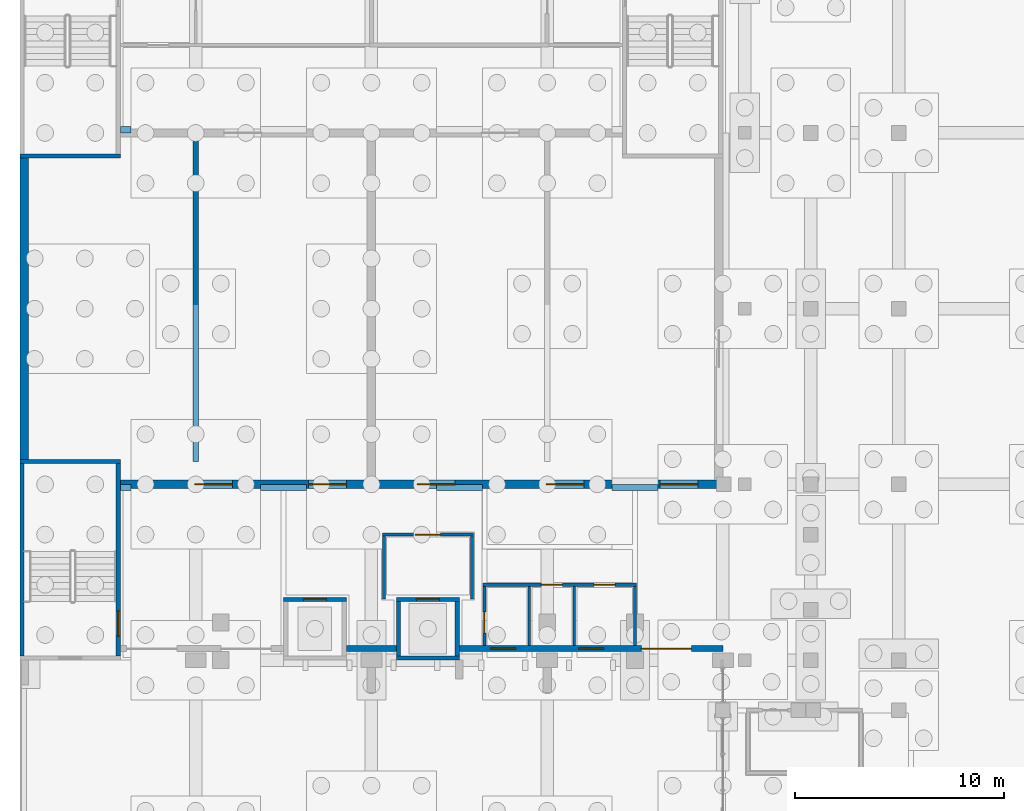
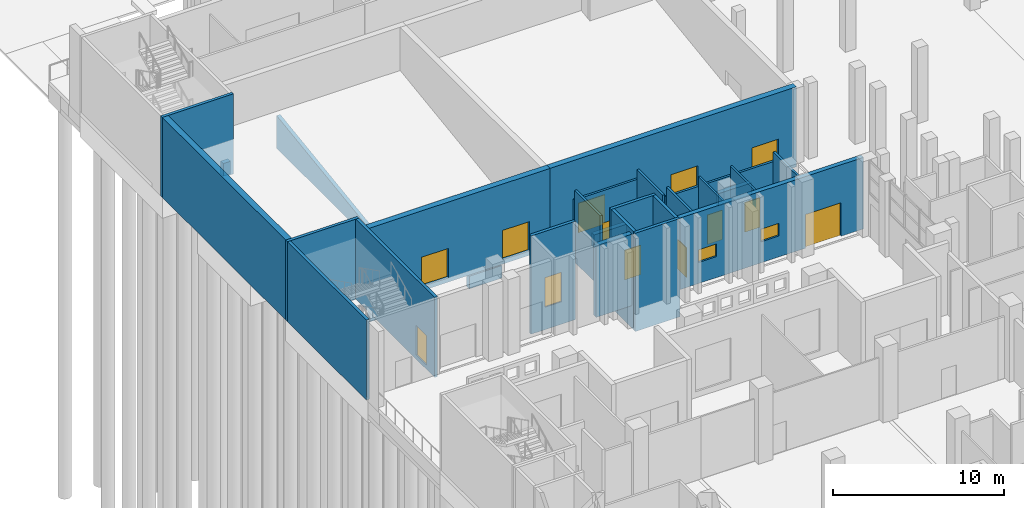
# One storey, part 46 of 129: 28 walls, 13 doors, 2 windows, 15 openings.
"""IFC4 building model written with IfcOpenShell, lengths in metres."""

from ifc_helpers import new_model, si_unit, direction, frame, frame_2d, origin, place, context, subcontext, project, spatial, polyline, rectangle, outline, extrude, material, layer, layer_set, type_object, element, fill, save


model = new_model("IFC4")

# Units and contexts
model_context = context("Model", 3, precision=1e-05, world=origin(), true_north=direction((0.0, 1.0)))
body_context = subcontext(model_context, "Body", "Model", "MODEL_VIEW")
ifc_project = project(units=[si_unit("LENGTHUNIT", "METRE"), si_unit("AREAUNIT", "SQUARE_METRE"), si_unit("VOLUMEUNIT", "CUBIC_METRE"), si_unit("PLANEANGLEUNIT", "RADIAN"), si_unit("MASSUNIT", "GRAM", prefix="KILO")], contexts=[model_context])

# Site, building, storey
site_placement = place(None, origin())
site = spatial("IfcSite", under=ifc_project, at=site_placement, CompositionType="ELEMENT")
building_placement = place(site_placement, origin())
building = spatial("IfcBuilding", under=site, at=building_placement, Name="Kiln Court Media Centre", CompositionType="ELEMENT")
storey_placement = place(building_placement, origin())
storey = spatial("IfcBuildingStorey", under=building, at=storey_placement, Name="L00", CompositionType="ELEMENT", Elevation=0.0)

# Wall, opening, door
ifc_material_1 = material(Name="Concrete block masonry M7.5", Category="masonry")
ifc_layer_1 = layer(ifc_material_1, 0.14990234375)
ifc_layer_set_1 = layer_set([ifc_layer_1], Name="Block lobby wall 150 EI 120")
wall_type_1 = type_object("IfcWallType", Name="Block lobby wall 150 EI 120", PredefinedType="SOLIDWALL", material=ifc_layer_set_1)
wall_1_placement = place(storey_placement, frame((17.324951171875, 39.60009765625, 0.0), z_axis=(0.0, 0.0, 1.0), x_axis=(1.0, 0.0, 0.0)))
wall_1 = element("IfcWall", 1, at=wall_1_placement, inside=storey, type_object=wall_type_1, Name="L00 block lobby wall", PredefinedType="SOLIDWALL", context=body_context, shape_type="SweptSolid", body=[
    extrude(rectangle(XDim=4.35009765625, YDim=0.14990234375, at=frame_2d((2.175048828125, 0.0))), origin(), (0.0, 0.0, 1.0), 4.39990234375),
])
opening_1_placement = place(wall_1_placement, frame((1.574951171875, 0.0, 0.0)))
opening_1 = element("IfcOpeningElement", 2, at=opening_1_placement, cuts=wall_1, Name="Opening D0059", PredefinedType="OPENING", context=body_context, shape_type="SweptSolid", body=[
    extrude(rectangle(XDim=1.199951171875, YDim=2.10009765625, at=frame_2d((0.60009765625, 1.050048828125))), frame((0.0, 0.0849609375, 0.0), z_axis=(0.0, -1.0, 0.0), x_axis=(1.0, 0.0, 0.0)), (0.0, 0.0, 1.0), 0.169921875),
])
ifc_material_2 = material(Name="Steel S275", Category="steel")
door_type_1 = type_object("IfcDoorType", Name="Steel lobby door 1200 x 2100 FD120", OperationType="SINGLE_SWING_LEFT", PredefinedType="DOOR", material=ifc_material_2)
door_1_placement = place(opening_1_placement, origin())
door_1 = element("IfcDoor", 3, at=door_1_placement, inside=storey, type_object=door_type_1, Name="Cinema Lobby / Fire-fighting Lift Lobby", OperationType="SINGLE_SWING_RIGHT", OverallHeight=2.10009765625, OverallWidth=1.199951171875, PredefinedType="DOOR", context=body_context, shape_type="SweptSolid", body=[
    extrude(rectangle(XDim=1.199951171875, YDim=2.10009765625, at=frame_2d((0.60009765625, 1.050048828125))), frame((0.0, 0.02490234375, 0.0), z_axis=(0.0, -1.0, 0.0), x_axis=(1.0, 0.0, 0.0)), (0.0, 0.0, 1.0), 0.050048828125),
])
fill(opening_1, door_1)

# Walls
for number, where, z_axis, x_axis, name in (
    (4, (17.39990234375, 36.52490234375, 0.0), (0.0, 0.0, 1.0), (0.0, 1.0, 0.0), "L00 block lobby wall"),
    (5, (21.60009765625, 36.52490234375, 0.0), (0.0, 0.0, 1.0), (0.0, 1.0, 0.0), "L00 block lobby wall"),
):
    element("IfcWall", number, at=place(storey_placement, frame(where, z_axis=z_axis, x_axis=x_axis)), inside=storey, type_object=wall_type_1, Name=name, PredefinedType="SOLIDWALL", context=body_context, shape_type="SweptSolid", body=[
        extrude(rectangle(XDim=3.0, YDim=0.14990234375, at=frame_2d((1.5, 0.0))), origin(), (0.0, 0.0, 1.0), 5.10009765625),
    ])
ifc_material_3 = material(Name="Concrete C30/37", Category="concrete")
ifc_layer_2 = layer(ifc_material_3, 0.300048828125)
ifc_layer_set_2 = layer_set([ifc_layer_2], Name="Concrete C30/37 plinth wall 300")
wall_type_2 = type_object("IfcWallType", Name="Concrete C30/37 plinth wall 300", PredefinedType="SOLIDWALL", material=ifc_layer_set_2)
for number, where, z_axis, x_axis, name in (
    (6, (5.300048828125, 58.949951171875, -1.199951171875), (0.0, 0.0, 1.0), (-1.0, 0.0, 0.0), "L00-W-1211"),
    (7, (4.800048828125, 41.85009765625, -1.199951171875), (0.0, 0.0, 1.0), (1.0, 0.0, 0.0), "L00-W-1217"),
):
    element("IfcWall", number, at=place(storey_placement, frame(where, z_axis=z_axis, x_axis=x_axis)), inside=storey, type_object=wall_type_2, Name=name, PredefinedType="SOLIDWALL", context=body_context, shape_type="SweptSolid", body=[
        extrude(rectangle(XDim=0.5, YDim=0.300048828125, at=frame_2d((0.25, 0.0))), origin(), (0.0, 0.0, 1.0), 0.89990234375),
    ])
wall_2_placement = place(storey_placement, frame((11.5, 41.85009765625, -1.199951171875), z_axis=(0.0, 0.0, 1.0), x_axis=(1.0, 0.0, 0.0)))
element("IfcWall", 8, at=wall_2_placement, inside=storey, type_object=wall_type_2, Name="L00-W-1218", PredefinedType="SOLIDWALL", context=body_context, shape_type="SweptSolid", body=[
    extrude(rectangle(XDim=2.199951171875, YDim=0.300048828125, at=frame_2d((1.10009765625, 0.0))), origin(), (0.0, 0.0, 1.0), 0.89990234375),
])
wall_3_placement = place(storey_placement, frame((19.89990234375, 41.85009765625, -1.199951171875), z_axis=(0.0, 0.0, 1.0), x_axis=(1.0, 0.0, 0.0)))
element("IfcWall", 9, at=wall_3_placement, inside=storey, type_object=wall_type_2, Name="L00-W-1219", PredefinedType="SOLIDWALL", context=body_context, shape_type="SweptSolid", body=[
    extrude(rectangle(XDim=2.2001953125, YDim=0.300048828125, at=frame_2d((1.10009765625, 0.0))), origin(), (0.0, 0.0, 1.0), 0.89990234375),
])
wall_4_placement = place(storey_placement, frame((28.300048828125, 41.85009765625, -1.199951171875), z_axis=(0.0, 0.0, 1.0), x_axis=(1.0, 0.0, 0.0)))
element("IfcWall", 10, at=wall_4_placement, inside=storey, type_object=wall_type_2, Name="L00-W-1220", PredefinedType="SOLIDWALL", context=body_context, shape_type="SweptSolid", body=[
    extrude(rectangle(XDim=2.199951171875, YDim=0.300048828125, at=frame_2d((1.10009765625, 0.0))), origin(), (0.0, 0.0, 1.0), 0.89990234375),
])

# Wall, openings, doors
ifc_material_4 = material(Name="Concrete C40/50", Category="concrete")
ifc_layer_3 = layer(ifc_material_4, 0.39990234375)
ifc_layer_set_3 = layer_set([ifc_layer_3], Name="Concrete C40/50 auditorium wall 400")
wall_type_3 = type_object("IfcWallType", Name="Concrete C40/50 auditorium wall 400", PredefinedType="SHEAR", material=ifc_layer_set_3)
wall_5_placement = place(storey_placement, frame((17.0, 42.0, -0.300048828125), z_axis=(0.0, 0.0, 1.0), x_axis=(-1.0, 0.0, 0.0)))
wall_5 = element("IfcWall", 11, at=wall_5_placement, inside=storey, type_object=wall_type_3, Name="L00-W-1118", PredefinedType="SHEAR", context=body_context, shape_type="SweptSolid", body=[
    extrude(rectangle(XDim=12.199951171875, YDim=0.39990234375, at=frame_2d((6.10009765625, 0.0))), origin(), (0.0, 0.0, 1.0), 5.699951171875),
])
opening_2_placement = place(wall_5_placement, frame((6.85009765625, 0.0, 0.300048828125)))
opening_2 = element("IfcOpeningElement", 12, at=opening_2_placement, cuts=wall_5, Name="Opening D0037", PredefinedType="OPENING", context=body_context, shape_type="SweptSolid", body=[
    extrude(rectangle(XDim=1.800048828125, YDim=2.10009765625, at=frame_2d((0.89990234375, 1.050048828125))), frame((0.0, 0.2099609375, 0.0), z_axis=(0.0, -1.0, 0.0), x_axis=(1.0, 0.0, 0.0)), (0.0, 0.0, 1.0), 0.419921875),
])
opening_3_placement = place(wall_5_placement, frame((1.39990234375, 0.0, 0.300048828125)))
opening_3 = element("IfcOpeningElement", 13, at=opening_3_placement, cuts=wall_5, Name="Opening D0078", PredefinedType="OPENING", context=body_context, shape_type="SweptSolid", body=[
    extrude(rectangle(XDim=1.800048828125, YDim=2.10009765625, at=frame_2d((0.89990234375, 1.050048828125))), frame((0.0, 0.2099609375, 0.0), z_axis=(0.0, -1.0, 0.0), x_axis=(1.0, 0.0, 0.0)), (0.0, 0.0, 1.0), 0.419921875),
])
ifc_material_5 = material(Name="Steel S275", Category="steel")
door_type_2 = type_object("IfcDoorType", Name="Acoustic cinema double door 1800 x 2100 FD180", OperationType="DOUBLE_DOOR_SINGLE_SWING", PredefinedType="DOOR", material=ifc_material_5)
door_2_placement = place(opening_2_placement, origin())
door_2 = element("IfcDoor", 14, at=door_2_placement, inside=storey, type_object=door_type_2, Name="Cinema Concessions / Cinema Screen 3", OperationType="DOUBLE_DOOR_SINGLE_SWING", OverallHeight=2.10009765625, OverallWidth=1.800048828125, PredefinedType="DOOR", context=body_context, shape_type="SweptSolid", body=[
    extrude(rectangle(XDim=1.800048828125, YDim=2.10009765625, at=frame_2d((0.89990234375, 1.050048828125))), frame((0.0, 0.02490234375, 0.0), z_axis=(0.0, -1.0, 0.0), x_axis=(1.0, 0.0, 0.0)), (0.0, 0.0, 1.0), 0.050048828125),
])
fill(opening_2, door_2)
door_3_placement = place(opening_3_placement, origin())
door_3 = element("IfcDoor", 15, at=door_3_placement, inside=storey, type_object=door_type_2, Name="Cinema Lobby / Cinema Screen 3", OperationType="DOUBLE_DOOR_SINGLE_SWING", OverallHeight=2.10009765625, OverallWidth=1.800048828125, PredefinedType="DOOR", context=body_context, shape_type="SweptSolid", body=[
    extrude(rectangle(XDim=1.800048828125, YDim=2.10009765625, at=frame_2d((0.89990234375, 1.050048828125))), frame((0.0, 0.02490234375, 0.0), z_axis=(0.0, -1.0, 0.0), x_axis=(1.0, 0.0, 0.0)), (0.0, 0.0, 1.0), 0.050048828125),
])
fill(opening_3, door_3)

# Wall
wall_6_placement = place(storey_placement, frame((0.200439453125, 43.199951171875, -0.300048828125), z_axis=(0.0, 0.0, 1.0), x_axis=(0.0, 1.0, 0.0)))
element("IfcWall", 16, at=wall_6_placement, inside=storey, type_object=wall_type_3, Name="L00-W-1120", PredefinedType="SHEAR", context=body_context, shape_type="SweptSolid", body=[
    extrude(rectangle(XDim=14.400146484375, YDim=0.39990234375, at=frame_2d((7.2001953125, 0.0))), origin(), (0.0, 0.0, 1.0), 5.699951171875),
])

# Wall, openings, doors
wall_7_placement = place(storey_placement, frame((33.60009765625, 42.0, -0.300048828125), z_axis=(0.0, 0.0, 1.0), x_axis=(-1.0, 0.0, 0.0)))
wall_7 = element("IfcWall", 17, at=wall_7_placement, inside=storey, type_object=wall_type_3, Name="L00-W-1122", PredefinedType="SHEAR", context=body_context, shape_type="SweptSolid", body=[
    extrude(rectangle(XDim=16.60009765625, YDim=0.39990234375, at=frame_2d((8.300048828125, 0.0))), origin(), (0.0, 0.0, 1.0), 5.699951171875),
])
opening_4_placement = place(wall_7_placement, frame((12.800048828125, 0.0, 0.300048828125)))
opening_4 = element("IfcOpeningElement", 18, at=opening_4_placement, cuts=wall_7, Name="Opening D0080", PredefinedType="OPENING", context=body_context, shape_type="SweptSolid", body=[
    extrude(rectangle(XDim=1.800048828125, YDim=2.10009765625, at=frame_2d((0.89990234375, 1.050048828125))), frame((0.0, 0.2099609375, 0.0), z_axis=(0.0, -1.0, 0.0), x_axis=(1.0, 0.0, 0.0)), (0.0, 0.0, 1.0), 0.419921875),
])
opening_5_placement = place(wall_7_placement, frame((1.2001953125, 0.0, 0.300048828125)))
opening_5 = element("IfcOpeningElement", 19, at=opening_5_placement, cuts=wall_7, Name="Opening D0081", PredefinedType="OPENING", context=body_context, shape_type="SweptSolid", body=[
    extrude(rectangle(XDim=1.800048828125, YDim=2.10009765625, at=frame_2d((0.89990234375, 1.050048828125))), frame((0.0, 0.2099609375, 0.0), z_axis=(0.0, -1.0, 0.0), x_axis=(1.0, 0.0, 0.0)), (0.0, 0.0, 1.0), 0.419921875),
])
opening_6_placement = place(wall_7_placement, frame((6.650146484375, 0.0, 0.300048828125)))
opening_6 = element("IfcOpeningElement", 20, at=opening_6_placement, cuts=wall_7, Name="Opening D0082", PredefinedType="OPENING", context=body_context, shape_type="SweptSolid", body=[
    extrude(rectangle(XDim=1.800048828125, YDim=2.10009765625, at=frame_2d((0.89990234375, 1.050048828125))), frame((0.0, 0.2099609375, 0.0), z_axis=(0.0, -1.0, 0.0), x_axis=(1.0, 0.0, 0.0)), (0.0, 0.0, 1.0), 0.419921875),
])
door_4_placement = place(opening_4_placement, origin())
door_4 = element("IfcDoor", 21, at=door_4_placement, inside=storey, type_object=door_type_2, Name="Cinema Lobby / Cinema Screen 4", OperationType="DOUBLE_DOOR_SINGLE_SWING", OverallHeight=2.10009765625, OverallWidth=1.800048828125, PredefinedType="DOOR", context=body_context, shape_type="SweptSolid", body=[
    extrude(rectangle(XDim=1.800048828125, YDim=2.10009765625, at=frame_2d((0.89990234375, 1.050048828125))), frame((0.0, 0.02490234375, 0.0), z_axis=(0.0, -1.0, 0.0), x_axis=(1.0, 0.0, 0.0)), (0.0, 0.0, 1.0), 0.050048828125),
])
fill(opening_4, door_4)
door_5_placement = place(opening_5_placement, origin())
door_5 = element("IfcDoor", 22, at=door_5_placement, inside=storey, type_object=door_type_2, Name="Foyer Link / Cinema Screen 4", OperationType="DOUBLE_DOOR_SINGLE_SWING", OverallHeight=2.10009765625, OverallWidth=1.800048828125, PredefinedType="DOOR", context=body_context, shape_type="SweptSolid", body=[
    extrude(rectangle(XDim=1.800048828125, YDim=2.10009765625, at=frame_2d((0.89990234375, 1.050048828125))), frame((0.0, 0.02490234375, 0.0), z_axis=(0.0, -1.0, 0.0), x_axis=(1.0, 0.0, 0.0)), (0.0, 0.0, 1.0), 0.050048828125),
])
fill(opening_5, door_5)
door_6_placement = place(opening_6_placement, origin())
door_6 = element("IfcDoor", 23, at=door_6_placement, inside=storey, type_object=door_type_2, Name="Cinema Lobby / Cinema Screen 4", OperationType="DOUBLE_DOOR_SINGLE_SWING", OverallHeight=2.10009765625, OverallWidth=1.800048828125, PredefinedType="DOOR", context=body_context, shape_type="SweptSolid", body=[
    extrude(rectangle(XDim=1.800048828125, YDim=2.10009765625, at=frame_2d((0.89990234375, 1.050048828125))), frame((0.0, 0.02490234375, 0.0), z_axis=(0.0, -1.0, 0.0), x_axis=(1.0, 0.0, 0.0)), (0.0, 0.0, 1.0), 0.050048828125),
])
fill(opening_6, door_6)

# Wall
ifc_material_6 = material(Name="Concrete C40/50", Category="concrete")
ifc_layer_4 = layer(ifc_material_6, 0.300048828125)
ifc_layer_set_4 = layer_set([ifc_layer_4], Name="Concrete C40/50 board-marked facade wall 300")
wall_type_4 = type_object("IfcWallType", Name="Concrete C40/50 board-marked facade wall 300", PredefinedType="SOLIDWALL", material=ifc_layer_set_4)
wall_8_placement = place(storey_placement, frame((18.0, 34.14990234375, 0.0), z_axis=(0.0, 0.0, 1.0), x_axis=(-1.0, 0.0, 0.0)))
element("IfcWall", 24, at=wall_8_placement, inside=storey, type_object=wall_type_4, Name="V4 S facade wall 4007", PredefinedType="SOLIDWALL", context=body_context, shape_type="SweptSolid", body=[
    extrude(rectangle(XDim=2.39990234375, YDim=0.300048828125, at=frame_2d((1.199951171875, 0.0))), origin(), (0.0, 0.0, 1.0), 5.10009765625),
])

# Wall, openings, windows, door
wall_9_placement = place(storey_placement, frame((33.60009765625, 34.14990234375, 0.0), z_axis=(0.0, 0.0, 1.0), x_axis=(-1.0, 0.0, 0.0)))
wall_9 = element("IfcWall", 25, at=wall_9_placement, inside=storey, type_object=wall_type_4, Name="V4 S facade wall 4008", PredefinedType="SOLIDWALL", context=body_context, shape_type="SweptSolid", body=[
    extrude(rectangle(XDim=12.60009765625, YDim=0.300048828125, at=frame_2d((6.300048828125, 0.0))), origin(), (0.0, 0.0, 1.0), 5.10009765625),
])
opening_7_placement = place(wall_9_placement, frame((1.5, 0.0, 0.0)))
opening_7 = element("IfcOpeningElement", 26, at=opening_7_placement, cuts=wall_9, Name="Opening D0774", PredefinedType="OPENING", context=body_context, shape_type="SweptSolid", body=[
    extrude(rectangle(XDim=2.39990234375, YDim=2.39990234375, at=frame_2d((1.199951171875, 1.199951171875))), frame((0.0, 0.159912109375, 0.0), z_axis=(0.0, -1.0, 0.0), x_axis=(1.0, 0.0, 0.0)), (0.0, 0.0, 1.0), 0.320068359375),
])
opening_8_placement = place(wall_9_placement, frame((9.89990234375, 0.0, 1.5)))
opening_8 = element("IfcOpeningElement", 27, at=opening_8_placement, cuts=wall_9, Name="Opening WN0504", PredefinedType="OPENING", context=body_context, shape_type="SweptSolid", body=[
    extrude(rectangle(XDim=1.199951171875, YDim=0.89990234375, at=frame_2d((0.60009765625, 0.449951171875))), frame((0.0, 0.159912109375, 0.0), z_axis=(0.0, -1.0, 0.0), x_axis=(1.0, 0.0, 0.0)), (0.0, 0.0, 1.0), 0.320068359375),
])
opening_9_placement = place(wall_9_placement, frame((5.699951171875, 0.0, 1.5)))
opening_9 = element("IfcOpeningElement", 28, at=opening_9_placement, cuts=wall_9, Name="Opening WN0505", PredefinedType="OPENING", context=body_context, shape_type="SweptSolid", body=[
    extrude(rectangle(XDim=1.199951171875, YDim=0.89990234375, at=frame_2d((0.60009765625, 0.449951171875))), frame((0.0, 0.159912109375, 0.0), z_axis=(0.0, -1.0, 0.0), x_axis=(1.0, 0.0, 0.0)), (0.0, 0.0, 1.0), 0.320068359375),
])
ifc_material_7 = material(Name="Aluminium 6063-T6", Category="aluminium")
window_type = type_object("IfcWindowType", Name="Aluminium control room window 1200x900", PartitioningType="SINGLE_PANEL", PredefinedType="WINDOW", material=ifc_material_7)
window_1_placement = place(opening_8_placement, origin())
window_1 = element("IfcWindow", 29, at=window_1_placement, inside=storey, type_object=window_type, Name="V4 S wc window", OverallHeight=0.89990234375, OverallWidth=1.199951171875, PartitioningType="SINGLE_PANEL", PredefinedType="WINDOW", context=body_context, shape_type="SweptSolid", body=[
    extrude(rectangle(XDim=1.199951171875, YDim=0.89990234375, at=frame_2d((0.60009765625, 0.449951171875))), frame((0.0, 0.030029296875, 0.0), z_axis=(0.0, -1.0, 0.0), x_axis=(1.0, 0.0, 0.0)), (0.0, 0.0, 1.0), 0.06005859375),
])
fill(opening_8, window_1)
window_2_placement = place(opening_9_placement, origin())
window_2 = element("IfcWindow", 30, at=window_2_placement, inside=storey, type_object=window_type, Name="V4 S wc window", OverallHeight=0.89990234375, OverallWidth=1.199951171875, PartitioningType="SINGLE_PANEL", PredefinedType="WINDOW", context=body_context, shape_type="SweptSolid", body=[
    extrude(rectangle(XDim=1.199951171875, YDim=0.89990234375, at=frame_2d((0.60009765625, 0.449951171875))), frame((0.0, 0.030029296875, 0.0), z_axis=(0.0, -1.0, 0.0), x_axis=(1.0, 0.0, 0.0)), (0.0, 0.0, 1.0), 0.06005859375),
])
fill(opening_9, window_2)
ifc_material_8 = material(Name="Aluminium 6063-T6", Category="aluminium")
door_type_3 = type_object("IfcDoorType", Name="Aluminium glazed entrance door 2400x2400", OperationType="DOUBLE_DOOR_DOUBLE_SWING", PredefinedType="DOOR", material=ifc_material_8)
door_7_placement = place(opening_7_placement, origin())
door_7 = element("IfcDoor", 31, at=door_7_placement, inside=storey, type_object=door_type_3, Name="EN-16 entrance door 1", OperationType="DOUBLE_DOOR_SLIDING", OverallHeight=2.39990234375, OverallWidth=2.39990234375, PredefinedType="DOOR", context=body_context, shape_type="SweptSolid", body=[
    extrude(rectangle(XDim=2.39990234375, YDim=2.39990234375, at=frame_2d((1.199951171875, 1.199951171875))), frame((0.0, 0.02490234375, 0.0), z_axis=(0.0, -1.0, 0.0), x_axis=(1.0, 0.0, 0.0)), (0.0, 0.0, 1.0), 0.050048828125),
])
fill(opening_7, door_7)

# Walls
ifc_material_9 = material(Name="Concrete C40/50", Category="concrete")
ifc_layer_5 = layer(ifc_material_9, 0.25)
ifc_layer_set_5 = layer_set([ifc_layer_5], Name="Concrete C40/50 raker wall 250")
wall_type_5 = type_object("IfcWallType", Name="Concrete C40/50 raker wall 250", PredefinedType="SOLIDWALL", material=ifc_layer_set_5)
wall_10_placement = place(storey_placement, frame((8.39990234375, 43.10009765625, -0.300048828125), z_axis=(0.0, 0.0, 1.0), x_axis=(0.0, 1.0, 0.0)))
element("IfcWall", 32, at=wall_10_placement, inside=storey, type_object=wall_type_5, Name="L00-W-1151", PredefinedType="SOLIDWALL", context=body_context, shape_type="SweptSolid", body=[
    extrude(outline(polyline([(0.0, 0.0), (15.5, 0.0), (15.5, 2.323974609375), (0.0, 0.154052734375), (0.0, 0.0)])), frame((0.0, 0.125, 0.0), z_axis=(0.0, -1.0, 0.0), x_axis=(1.0, 0.0, 0.0)), (0.0, 0.0, 1.0), 0.25),
])
ifc_material_10 = material(Name="Concrete C40/50", Category="concrete")
ifc_layer_6 = layer(ifc_material_10, 0.199951171875)
ifc_layer_set_6 = layer_set([ifc_layer_6], Name="Concrete C40/50 shear wall 200")
wall_type_6 = type_object("IfcWallType", Name="Concrete C40/50 shear wall 200", PredefinedType="SHEAR", material=ifc_layer_set_6)
wall_11_placement = place(storey_placement, frame((0.00048828125, 43.10009765625, -0.300048828125), z_axis=(0.0, 0.0, 1.0), x_axis=(1.0, 0.0, 0.0)))
element("IfcWall", 33, at=wall_11_placement, inside=storey, type_object=wall_type_6, Name="L00-W-1021", PredefinedType="SHEAR", context=body_context, shape_type="SweptSolid", body=[
    extrude(rectangle(XDim=4.799560546875, YDim=0.199951171875, at=frame_2d((2.39990234375, 0.0))), origin(), (0.0, 0.0, 1.0), 5.699951171875),
])
wall_12_placement = place(storey_placement, frame((0.100341796875, 33.800048828125, -0.300048828125), z_axis=(0.0, 0.0, 1.0), x_axis=(0.0, 1.0, 0.0)))
element("IfcWall", 34, at=wall_12_placement, inside=storey, type_object=wall_type_6, Name="L00-W-1022", PredefinedType="SHEAR", context=body_context, shape_type="SweptSolid", body=[
    extrude(rectangle(XDim=9.199951171875, YDim=0.199951171875, at=frame_2d((4.60009765625, 0.0))), origin(), (0.0, 0.0, 1.0), 5.699951171875),
])

# Wall, opening, door
wall_13_placement = place(storey_placement, frame((4.699951171875, 43.0, -0.300048828125), z_axis=(0.0, 0.0, 1.0), x_axis=(0.0, -1.0, 0.0)))
wall_13 = element("IfcWall", 35, at=wall_13_placement, inside=storey, type_object=wall_type_6, Name="L00-W-1023", PredefinedType="SHEAR", context=body_context, shape_type="SweptSolid", body=[
    extrude(rectangle(XDim=9.199951171875, YDim=0.199951171875, at=frame_2d((4.60009765625, 0.0))), origin(), (0.0, 0.0, 1.0), 5.699951171875),
])
opening_10_placement = place(wall_13_placement, frame((7.050048828125, 0.0, 0.300048828125)))
opening_10 = element("IfcOpeningElement", 36, at=opening_10_placement, cuts=wall_13, Name="Opening D0010", PredefinedType="OPENING", context=body_context, shape_type="SweptSolid", body=[
    extrude(rectangle(XDim=1.199951171875, YDim=2.10009765625, at=frame_2d((0.60009765625, 1.050048828125))), frame((0.0, 0.10986328125, 0.0), z_axis=(0.0, -1.0, 0.0), x_axis=(1.0, 0.0, 0.0)), (0.0, 0.0, 1.0), 0.219970703125),
])
ifc_material_11 = material(Name="Steel S275", Category="steel")
door_type_4 = type_object("IfcDoorType", Name="Steel stair door 1200 x 2100 FD180", OperationType="SINGLE_SWING_LEFT", PredefinedType="DOOR", material=ifc_material_11)
door_8_placement = place(opening_10_placement, origin())
door_8 = element("IfcDoor", 37, at=door_8_placement, inside=storey, type_object=door_type_4, Name="Stair 6 / Cinema Concessions", OperationType="SINGLE_SWING_LEFT", OverallHeight=2.10009765625, OverallWidth=1.199951171875, PredefinedType="DOOR", context=body_context, shape_type="SweptSolid", body=[
    extrude(rectangle(XDim=1.199951171875, YDim=2.10009765625, at=frame_2d((0.60009765625, 1.050048828125))), frame((0.0, 0.02490234375, 0.0), z_axis=(0.0, -1.0, 0.0), x_axis=(1.0, 0.0, 0.0)), (0.0, 0.0, 1.0), 0.050048828125),
])
fill(opening_10, door_8)

# Wall
wall_14_placement = place(storey_placement, frame((4.800048828125, 57.699951171875, -0.300048828125), z_axis=(0.0, 0.0, 1.0), x_axis=(-1.0, 0.0, 0.0)))
element("IfcWall", 38, at=wall_14_placement, inside=storey, type_object=wall_type_6, Name="L00-W-1024", PredefinedType="SHEAR", context=body_context, shape_type="SweptSolid", body=[
    extrude(rectangle(XDim=4.799560546875, YDim=0.199951171875, at=frame_2d((2.39990234375, 0.0))), origin(), (0.0, 0.0, 1.0), 5.699951171875),
])

# Wall, opening, door
wall_15_placement = place(storey_placement, frame((12.60009765625, 36.5, -1.60009765625), z_axis=(0.0, 0.0, 1.0), x_axis=(1.0, 0.0, 0.0)))
wall_15 = element("IfcWall", 39, at=wall_15_placement, inside=storey, type_object=wall_type_6, Name="L00-W-1083", PredefinedType="SHEAR", context=body_context, shape_type="SweptSolid", body=[
    extrude(rectangle(XDim=3.0, YDim=0.199951171875, at=frame_2d((1.5, 0.0))), origin(), (0.0, 0.0, 1.0), 7.0),
])
opening_11_placement = place(wall_15_placement, frame((0.949951171875, 0.0, 1.60009765625)))
opening_11 = element("IfcOpeningElement", 40, at=opening_11_placement, cuts=wall_15, Name="Opening LD005", PredefinedType="OPENING", context=body_context, shape_type="SweptSolid", body=[
    extrude(rectangle(XDim=1.10009765625, YDim=2.10009765625, at=frame_2d((0.550048828125, 1.050048828125))), frame((0.0, 0.10986328125, 0.0), z_axis=(0.0, -1.0, 0.0), x_axis=(1.0, 0.0, 0.0)), (0.0, 0.0, 1.0), 0.219970703125),
])
ifc_material_12 = material(Name="Stainless steel", Category="steel")
door_type_5 = type_object("IfcDoorType", Name="Lift landing door 1100 x 2100 FD120", OperationType="SLIDING_TO_LEFT", PredefinedType="DOOR", material=ifc_material_12)
door_9_placement = place(opening_11_placement, origin())
door_9 = element("IfcDoor", 41, at=door_9_placement, inside=storey, type_object=door_type_5, Name="LF-05 landing door L00", OperationType="SLIDING_TO_LEFT", OverallHeight=2.10009765625, OverallWidth=1.10009765625, PredefinedType="DOOR", context=body_context, shape_type="SweptSolid", body=[
    extrude(rectangle(XDim=1.10009765625, YDim=2.10009765625, at=frame_2d((0.550048828125, 1.050048828125))), frame((0.0, 0.02490234375, 0.0), z_axis=(0.0, -1.0, 0.0), x_axis=(1.0, 0.0, 0.0)), (0.0, 0.0, 1.0), 0.050048828125),
])
fill(opening_11, door_9)

# Wall
wall_16_placement = place(storey_placement, frame((21.0, 33.699951171875, -1.60009765625), z_axis=(0.0, 0.0, 1.0), x_axis=(-1.0, 0.0, 0.0)))
element("IfcWall", 42, at=wall_16_placement, inside=storey, type_object=wall_type_6, Name="L00-W-1086", PredefinedType="SHEAR", context=body_context, shape_type="SweptSolid", body=[
    extrude(rectangle(XDim=3.0, YDim=0.199951171875, at=frame_2d((1.5, 0.0))), origin(), (0.0, 0.0, 1.0), 7.0),
])

# Wall, opening, door
wall_17_placement = place(storey_placement, frame((18.0, 36.5, -1.60009765625), z_axis=(0.0, 0.0, 1.0), x_axis=(1.0, 0.0, 0.0)))
wall_17 = element("IfcWall", 43, at=wall_17_placement, inside=storey, type_object=wall_type_6, Name="L00-W-1087", PredefinedType="SHEAR", context=body_context, shape_type="SweptSolid", body=[
    extrude(rectangle(XDim=3.0, YDim=0.199951171875, at=frame_2d((1.5, 0.0))), origin(), (0.0, 0.0, 1.0), 7.0),
])
opening_12_placement = place(wall_17_placement, frame((0.949951171875, 0.0, 1.60009765625)))
opening_12 = element("IfcOpeningElement", 44, at=opening_12_placement, cuts=wall_17, Name="Opening LD006", PredefinedType="OPENING", context=body_context, shape_type="SweptSolid", body=[
    extrude(rectangle(XDim=1.10009765625, YDim=2.10009765625, at=frame_2d((0.550048828125, 1.050048828125))), frame((0.0, 0.10986328125, 0.0), z_axis=(0.0, -1.0, 0.0), x_axis=(1.0, 0.0, 0.0)), (0.0, 0.0, 1.0), 0.219970703125),
])
ifc_material_13 = material(Name="Stainless steel", Category="steel")
door_type_6 = type_object("IfcDoorType", Name="Firefighting lift landing door 1100 x 2100 FD120", OperationType="SLIDING_TO_LEFT", PredefinedType="DOOR", material=ifc_material_13)
door_10_placement = place(opening_12_placement, origin())
door_10 = element("IfcDoor", 45, at=door_10_placement, inside=storey, type_object=door_type_6, Name="LF-06 landing door L00", OperationType="SLIDING_TO_LEFT", OverallHeight=2.10009765625, OverallWidth=1.10009765625, PredefinedType="DOOR", context=body_context, shape_type="SweptSolid", body=[
    extrude(rectangle(XDim=1.10009765625, YDim=2.10009765625, at=frame_2d((0.550048828125, 1.050048828125))), frame((0.0, 0.02490234375, 0.0), z_axis=(0.0, -1.0, 0.0), x_axis=(1.0, 0.0, 0.0)), (0.0, 0.0, 1.0), 0.050048828125),
])
fill(opening_12, door_10)

# Walls
for number, where, z_axis, x_axis, name in (
    (46, (18.10009765625, 33.800048828125, -1.60009765625), (0.0, 0.0, 1.0), (0.0, 1.0, 0.0), "L00-W-1088"),
    (47, (20.89990234375, 36.39990234375, -1.60009765625), (0.0, 0.0, 1.0), (0.0, -1.0, 0.0), "L00-W-1089"),
):
    element("IfcWall", number, at=place(storey_placement, frame(where, z_axis=z_axis, x_axis=x_axis)), inside=storey, type_object=wall_type_6, Name=name, PredefinedType="SHEAR", context=body_context, shape_type="SweptSolid", body=[
        extrude(rectangle(XDim=2.599853515625, YDim=0.199951171875, at=frame_2d((1.2998046875, 0.0))), origin(), (0.0, 0.0, 1.0), 7.0),
    ])

# Wall, openings, doors
ifc_material_14 = material(Name="Gypsum plasterboard", Category="gypsum")
ifc_layer_7 = layer(ifc_material_14, 0.14990234375)
ifc_layer_set_7 = layer_set([ifc_layer_7], Name="Gypsum corridor partition 150 EI 60")
wall_type_7 = type_object("IfcWallType", Name="Gypsum corridor partition 150 EI 60", PredefinedType="PARTITIONING", material=ifc_layer_set_7)
wall_18_placement = place(storey_placement, frame((22.125, 37.199951171875, 0.0), z_axis=(0.0, 0.0, 1.0), x_axis=(1.0, 0.0, 0.0)))
wall_18 = element("IfcWall", 48, at=wall_18_placement, inside=storey, type_object=wall_type_7, Name="L00 gypsum corridor partition", PredefinedType="PARTITIONING", context=body_context, shape_type="SweptSolid", body=[
    extrude(rectangle(XDim=7.35009765625, YDim=0.14990234375, at=frame_2d((3.675048828125, 0.0))), origin(), (0.0, 0.0, 1.0), 4.39990234375),
])
opening_13_placement = place(wall_18_placement, frame((2.800048828125, 0.0, 0.0)))
opening_13 = element("IfcOpeningElement", 49, at=opening_13_placement, cuts=wall_18, Name="Opening D0069", PredefinedType="OPENING", context=body_context, shape_type="SweptSolid", body=[
    extrude(rectangle(XDim=1.0, YDim=2.10009765625, at=frame_2d((0.5, 1.050048828125))), frame((0.0, 0.0849609375, 0.0), z_axis=(0.0, -1.0, 0.0), x_axis=(1.0, 0.0, 0.0)), (0.0, 0.0, 1.0), 0.169921875),
])
opening_14_placement = place(wall_18_placement, frame((5.324951171875, 0.0, 0.0)))
opening_14 = element("IfcOpeningElement", 50, at=opening_14_placement, cuts=wall_18, Name="Opening D0070", PredefinedType="OPENING", context=body_context, shape_type="SweptSolid", body=[
    extrude(rectangle(XDim=1.0, YDim=2.10009765625, at=frame_2d((0.5, 1.050048828125))), frame((0.0, 0.0849609375, 0.0), z_axis=(0.0, -1.0, 0.0), x_axis=(1.0, 0.0, 0.0)), (0.0, 0.0, 1.0), 0.169921875),
])
ifc_material_15 = material(Name="Steel S275", Category="steel")
door_type_7 = type_object("IfcDoorType", Name="Steel accessible door 1000 x 2100 FD30S", OperationType="SINGLE_SWING_LEFT", PredefinedType="DOOR", material=ifc_material_15)
door_11_placement = place(opening_14_placement, origin())
door_11 = element("IfcDoor", 51, at=door_11_placement, inside=storey, type_object=door_type_7, Name="Accessible WC / Toilet Lobby", OperationType="SINGLE_SWING_RIGHT", OverallHeight=2.10009765625, OverallWidth=1.0, PredefinedType="DOOR", context=body_context, shape_type="SweptSolid", body=[
    extrude(rectangle(XDim=1.0, YDim=2.10009765625, at=frame_2d((0.5, 1.050048828125))), frame((0.0, 0.02490234375, 0.0), z_axis=(0.0, -1.0, 0.0), x_axis=(1.0, 0.0, 0.0)), (0.0, 0.0, 1.0), 0.050048828125),
])
fill(opening_14, door_11)
ifc_material_16 = material(Name="Steel S275", Category="steel")
door_type_8 = type_object("IfcDoorType", Name="Steel corridor door 1000 x 2100 FD30S", OperationType="SINGLE_SWING_LEFT", PredefinedType="DOOR", material=ifc_material_16)
door_12_placement = place(opening_13_placement, origin())
door_12 = element("IfcDoor", 52, at=door_12_placement, inside=storey, type_object=door_type_8, Name="Men's WC / Toilet Lobby", OperationType="SINGLE_SWING_RIGHT", OverallHeight=2.10009765625, OverallWidth=1.0, PredefinedType="DOOR", context=body_context, shape_type="SweptSolid", body=[
    extrude(rectangle(XDim=1.0, YDim=2.10009765625, at=frame_2d((0.5, 1.050048828125))), frame((0.0, 0.02490234375, 0.0), z_axis=(0.0, -1.0, 0.0), x_axis=(1.0, 0.0, 0.0)), (0.0, 0.0, 1.0), 0.050048828125),
])
fill(opening_13, door_12)

# Wall, opening, door
wall_19_placement = place(storey_placement, frame((22.199951171875, 34.300048828125, 0.0), z_axis=(0.0, 0.0, 1.0), x_axis=(0.0, 1.0, 0.0)))
wall_19 = element("IfcWall", 53, at=wall_19_placement, inside=storey, type_object=wall_type_7, Name="L00 gypsum corridor partition", PredefinedType="PARTITIONING", context=body_context, shape_type="SweptSolid", body=[
    extrude(rectangle(XDim=2.824951171875, YDim=0.14990234375, at=frame_2d((1.41259765625, 0.0))), origin(), (0.0, 0.0, 1.0), 5.10009765625),
])
opening_15_placement = place(wall_19_placement, frame((0.60009765625, 0.0, 0.0)))
opening_15 = element("IfcOpeningElement", 54, at=opening_15_placement, cuts=wall_19, Name="Opening D0058", PredefinedType="OPENING", context=body_context, shape_type="SweptSolid", body=[
    extrude(rectangle(XDim=1.0, YDim=2.10009765625, at=frame_2d((0.5, 1.050048828125))), frame((0.0, 0.0849609375, 0.0), z_axis=(0.0, -1.0, 0.0), x_axis=(1.0, 0.0, 0.0)), (0.0, 0.0, 1.0), 0.169921875),
])
door_13_placement = place(opening_15_placement, origin())
door_13 = element("IfcDoor", 55, at=door_13_placement, inside=storey, type_object=door_type_8, Name="Cinema Lobby / Women's WC", OperationType="SINGLE_SWING_RIGHT", OverallHeight=2.10009765625, OverallWidth=1.0, PredefinedType="DOOR", context=body_context, shape_type="SweptSolid", body=[
    extrude(rectangle(XDim=1.0, YDim=2.10009765625, at=frame_2d((0.5, 1.050048828125))), frame((0.0, 0.02490234375, 0.0), z_axis=(0.0, -1.0, 0.0), x_axis=(1.0, 0.0, 0.0)), (0.0, 0.0, 1.0), 0.050048828125),
])
fill(opening_15, door_13)

# Walls
wall_20_placement = place(storey_placement, frame((29.39990234375, 34.300048828125, 0.0), z_axis=(0.0, 0.0, 1.0), x_axis=(0.0, 1.0, 0.0)))
element("IfcWall", 56, at=wall_20_placement, inside=storey, type_object=wall_type_7, Name="L00 gypsum corridor partition", PredefinedType="PARTITIONING", context=body_context, shape_type="SweptSolid", body=[
    extrude(rectangle(XDim=2.824951171875, YDim=0.14990234375, at=frame_2d((1.41259765625, 0.0))), origin(), (0.0, 0.0, 1.0), 5.10009765625),
])
ifc_material_17 = material(Name="Gypsum plasterboard", Category="gypsum")
ifc_layer_8 = layer(ifc_material_17, 0.125)
ifc_layer_set_8 = layer_set([ifc_layer_8], Name="Gypsum wet-area partition 125")
wall_type_8 = type_object("IfcWallType", Name="Gypsum wet-area partition 125", PredefinedType="PARTITIONING", material=ifc_layer_set_8)
for number, where, z_axis, x_axis, name in (
    (57, (24.35009765625, 34.300048828125, 0.0), (0.0, 0.0, 1.0), (0.0, 1.0, 0.0), "L00 gypsum wet-area partition"),
    (58, (26.5, 34.300048828125, 0.0), (0.0, 0.0, 1.0), (0.0, 1.0, 0.0), "L00 gypsum wet-area partition"),
):
    element("IfcWall", number, at=place(storey_placement, frame(where, z_axis=z_axis, x_axis=x_axis)), inside=storey, type_object=wall_type_8, Name=name, PredefinedType="PARTITIONING", context=body_context, shape_type="SweptSolid", body=[
        extrude(rectangle(XDim=2.824951171875, YDim=0.125, at=frame_2d((1.41259765625, 0.0))), origin(), (0.0, 0.0, 1.0), 5.10009765625),
    ])

save(model, "model.ifc")
